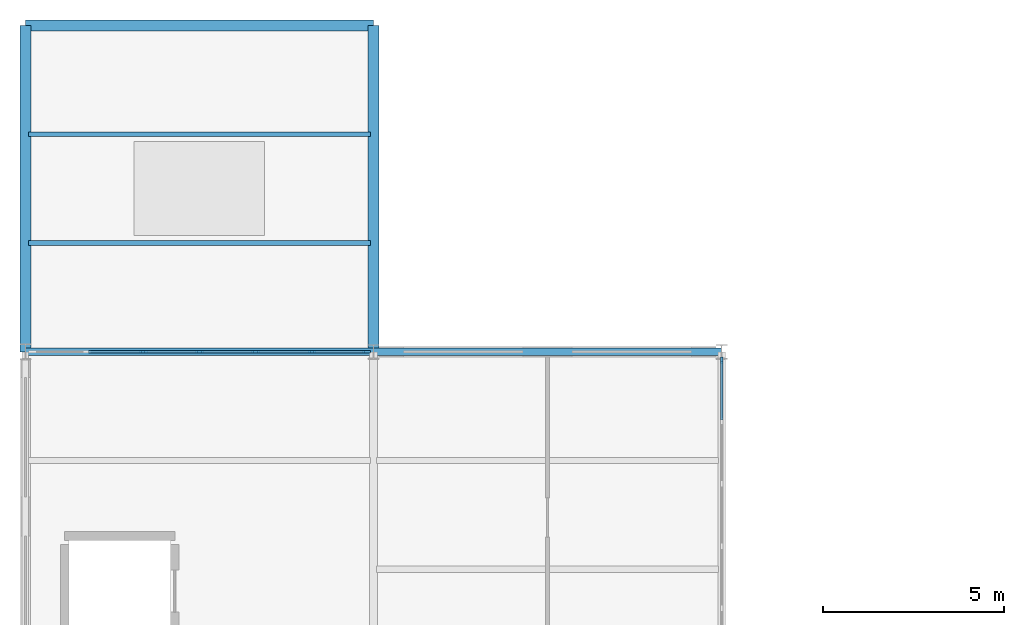
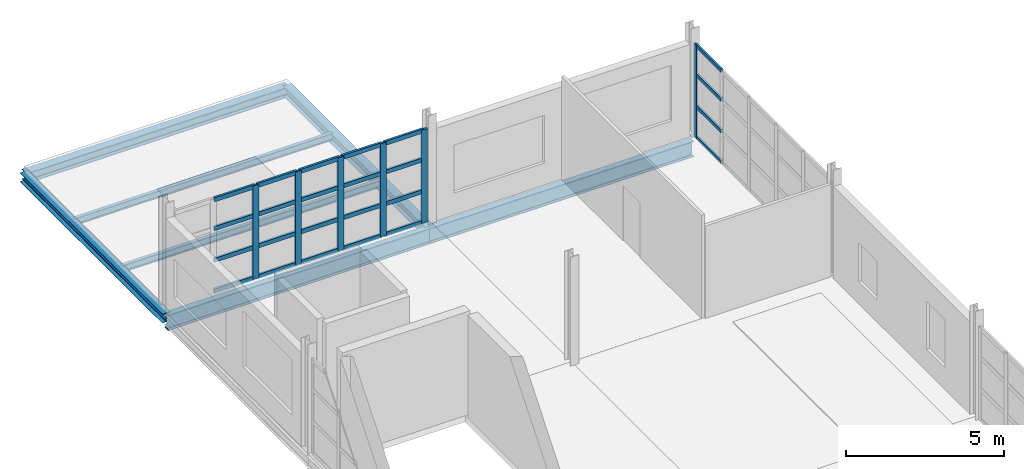
# One storey, part 9 of 15: 30 members, 7 beams, 2 elements without a shape of their own.
"""IFC4 building model written with IfcOpenShell, lengths in metres."""

from ifc_helpers import new_model, si_unit, direction, frame, origin, origin_2d, place, context, subcontext, project, spatial, rectangle, i_section, extrude, material, layer, layer_set, material_profile, profile_set, type_object, element, aggregate, save


model = new_model("IFC4")

# Units and contexts
model_context = context("Model", 3, precision=1e-05, world=origin(), true_north=direction((0.0, 1.0)))
body_context = subcontext(model_context, "Body", "Model", "MODEL_VIEW")
ifc_project = project(units=[si_unit("LENGTHUNIT", "METRE"), si_unit("AREAUNIT", "SQUARE_METRE"), si_unit("VOLUMEUNIT", "CUBIC_METRE"), si_unit("PLANEANGLEUNIT", "RADIAN"), si_unit("MASSUNIT", "GRAM", prefix="KILO")], contexts=[model_context])

# Site, building, storey
site_placement = place(None, origin())
site = spatial("IfcSite", under=ifc_project, at=site_placement, CompositionType="ELEMENT")
building_placement = place(site_placement, origin())
building = spatial("IfcBuilding", under=site, at=building_placement, Name="Zarnetskaya Central Station", CompositionType="ELEMENT")
storey_placement = place(building_placement, frame((0.0, 0.0, 22.800048828125)))
storey = spatial("IfcBuildingStorey", under=building, at=storey_placement, Name="L05", CompositionType="ELEMENT", Elevation=22.800048828125)

# Beams
ifc_material_1 = material(Name="Steel S355", Category="steel")
ifc_material_profile_1 = material_profile(ifc_material_1, i_section(OverallWidth=0.135009765625, OverallDepth=0.27001953125, WebThickness=0.006591796875, FlangeThickness=0.01025390625, FilletRadius=0.014892578125, at=origin_2d()), Name="IPE 270")
ifc_profile_set_1 = profile_set([ifc_material_profile_1], Name="Steel S355")
beam_type_1 = type_object("IfcBeamType", Name="BM-JST-270", PredefinedType="JOIST", material=ifc_profile_set_1)
for number, where, z_axis, x_axis, name in (
    (1, (0.080078125, 52.199951171875, -0.344970703125), (1.0, 0.0, 0.0), (0.0, 1.0, 0.0), "Secondary floor beam SEC-L05-Z2259-AB-78-1"),
    (2, (0.080078125, 55.199951171875, -0.344970703125), (1.0, 0.0, 0.0), (0.0, 1.0, 0.0), "Secondary floor beam SEC-L05-Z2259-AB-78-2"),
):
    element("IfcBeam", number, at=place(storey_placement, frame(where, z_axis=z_axis, x_axis=x_axis)), inside=storey, type_object=beam_type_1, Name=name, PredefinedType="JOIST", context=body_context, shape_type="SweptSolid", body=[
        extrude(i_section(OverallWidth=0.135009765625, OverallDepth=0.27001953125, WebThickness=0.006591796875, FlangeThickness=0.01025390625, FilletRadius=0.014892578125, at=origin_2d()), origin(), (0.0, 0.0, 1.0), 9.43994140625),
    ])
ifc_material_profile_2 = material_profile(ifc_material_1, i_section(OverallWidth=0.300048828125, OverallDepth=0.35009765625, WebThickness=0.010009765625, FlangeThickness=0.017578125, FilletRadius=0.027099609375, at=origin_2d()), Name="HEA 360")
ifc_profile_set_2 = profile_set([ifc_material_profile_2], Name="Steel S355")
beam_type_2 = type_object("IfcBeamType", Name="BM-SPN-EAVE", PredefinedType="SPANDREL", material=ifc_profile_set_2)
beam_1_placement = place(storey_placement, frame((0.0, 49.199951171875, -0.385009765625), z_axis=(0.0, 1.0, 0.0), x_axis=(-1.0, 0.0, 0.0)))
element("IfcBeam", 3, at=beam_1_placement, inside=storey, type_object=beam_type_2, Name="Grid girder GY-L05-A-78", PredefinedType="SPANDREL", context=body_context, shape_type="SweptSolid", body=[
    extrude(i_section(OverallWidth=0.300048828125, OverallDepth=0.35009765625, WebThickness=0.010009765625, FlangeThickness=0.017578125, FilletRadius=0.027099609375, at=origin_2d()), origin(), (0.0, 0.0, 1.0), 9.0),
])

# Curtain wall, member
ifc_material_2 = material(Name="Low-E insulated glass", Category="glass")
ifc_layer = layer(ifc_material_2, 0.1640625, Name="Low-E insulated glass", Category="glass")
ifc_layer_set = layer_set([ifc_layer], Name="Low-E insulated glass")
curtain_wall_type = type_object("IfcCurtainWallType", Name="CW-SYS-07", PredefinedType="USERDEFINED", material=ifc_layer_set)
curtain_wall_1_placement = place(storey_placement, origin())
curtain_wall_1 = element("IfcCurtainWall", 4, at=curtain_wall_1_placement, inside=storey, type_object=curtain_wall_type, Name="Curtain wall CW-L05-067", ObjectType="CURTAIN WALL", PredefinedType="USERDEFINED")
ifc_material_3 = material(Name="Anodised aluminium", Category="aluminium")
ifc_material_profile_3 = material_profile(ifc_material_3, rectangle(XDim=0.070068359375, YDim=0.179931640625, at=origin_2d()), Name="ALU MULL 70x180")
ifc_profile_set_3 = profile_set([ifc_material_profile_3], Name="Anodised aluminium")
member_type_1 = type_object("IfcMemberType", Name="CW-MULL-180", PredefinedType="MULLION", material=ifc_profile_set_3)
member_1_placement = place(storey_placement, frame((19.199951171875, 48.965087890625, 0.0), z_axis=(0.0, 0.0, 1.0), x_axis=(1.0, 0.0, 0.0)))
member_1 = element("IfcMember", 5, at=member_1_placement, type_object=member_type_1, Name="CW-06 mullion 1", PredefinedType="MULLION", context=body_context, shape_type="SweptSolid", body=[
    extrude(rectangle(XDim=0.070068359375, YDim=0.179931640625, at=origin_2d()), origin(), (0.0, 0.0, 1.0), 3.599853515625),
])

# Curtain wall, members
curtain_wall_2_placement = place(storey_placement, origin())
curtain_wall_2 = element("IfcCurtainWall", 6, at=curtain_wall_2_placement, inside=storey, type_object=curtain_wall_type, Name="Curtain wall CW-L05-066", ObjectType="CURTAIN WALL", PredefinedType="USERDEFINED")
ifc_material_profile_4 = material_profile(ifc_material_3, rectangle(XDim=0.080078125, YDim=0.219970703125, at=origin_2d()), Name="ALU MULL 80x220")
ifc_profile_set_4 = profile_set([ifc_material_profile_4], Name="Anodised aluminium")
member_type_2 = type_object("IfcMemberType", Name="CW-MULL-220", PredefinedType="MULLION", material=ifc_profile_set_4)
member_2_placement = place(storey_placement, frame((3.25, 49.199951171875, 0.0), z_axis=(0.0, 0.0, 1.0), x_axis=(0.0, 1.0, 0.0)))
member_2 = element("IfcMember", 7, at=member_2_placement, type_object=member_type_2, Name="CW-06 mullion 3", PredefinedType="MULLION", context=body_context, shape_type="SweptSolid", body=[
    extrude(rectangle(XDim=0.080078125, YDim=0.219970703125, at=origin_2d()), origin(), (0.0, 0.0, 1.0), 3.599853515625),
])
member_3_placement = place(storey_placement, frame((4.800048828125, 49.199951171875, 0.0), z_axis=(0.0, 0.0, 1.0), x_axis=(0.0, 1.0, 0.0)))
member_3 = element("IfcMember", 8, at=member_3_placement, type_object=member_type_2, Name="CW-06 mullion 4", PredefinedType="MULLION", context=body_context, shape_type="SweptSolid", body=[
    extrude(rectangle(XDim=0.080078125, YDim=0.219970703125, at=origin_2d()), origin(), (0.0, 0.0, 1.0), 3.599853515625),
])
member_4_placement = place(storey_placement, frame((6.35009765625, 49.199951171875, 0.0), z_axis=(0.0, 0.0, 1.0), x_axis=(0.0, 1.0, 0.0)))
member_4 = element("IfcMember", 9, at=member_4_placement, type_object=member_type_2, Name="CW-06 mullion 5", PredefinedType="MULLION", context=body_context, shape_type="SweptSolid", body=[
    extrude(rectangle(XDim=0.080078125, YDim=0.219970703125, at=origin_2d()), origin(), (0.0, 0.0, 1.0), 3.599853515625),
])
member_5_placement = place(storey_placement, frame((7.89990234375, 49.199951171875, 0.0), z_axis=(0.0, 0.0, 1.0), x_axis=(0.0, 1.0, 0.0)))
member_5 = element("IfcMember", 10, at=member_5_placement, type_object=member_type_2, Name="CW-06 mullion 6", PredefinedType="MULLION", context=body_context, shape_type="SweptSolid", body=[
    extrude(rectangle(XDim=0.080078125, YDim=0.219970703125, at=origin_2d()), origin(), (0.0, 0.0, 1.0), 3.599853515625),
])
member_6_placement = place(storey_placement, frame((9.409912109375, 49.199951171875, 0.0), z_axis=(0.0, 0.0, 1.0), x_axis=(0.0, 1.0, 0.0)))
member_6 = element("IfcMember", 11, at=member_6_placement, type_object=member_type_2, Name="CW-06 mullion 7", PredefinedType="MULLION", context=body_context, shape_type="SweptSolid", body=[
    extrude(rectangle(XDim=0.080078125, YDim=0.219970703125, at=origin_2d()), origin(), (0.0, 0.0, 1.0), 3.599853515625),
])

# Member
ifc_material_profile_5 = material_profile(ifc_material_3, rectangle(XDim=0.070068359375, YDim=0.139892578125, at=origin_2d()), Name="ALU TRAN 70x140")
ifc_profile_set_5 = profile_set([ifc_material_profile_5], Name="Anodised aluminium")
member_type_3 = type_object("IfcMemberType", Name="CW-TRAN-140", PredefinedType="USERDEFINED", material=ifc_profile_set_5)
member_7_placement = place(storey_placement, frame((19.199951171875, 48.929931640625, 0.034912109375), z_axis=(0.0, -1.0, 0.0), x_axis=(1.0, 0.0, 0.0)))
member_7 = element("IfcMember", 12, at=member_7_placement, type_object=member_type_3, Name="CW-06 transom 1.1", ObjectType="TRANSOM", PredefinedType="USERDEFINED", context=body_context, shape_type="SweptSolid", body=[
    extrude(rectangle(XDim=0.070068359375, YDim=0.139892578125, at=origin_2d()), origin(), (0.0, 0.0, 1.0), 1.614990234375),
])

member_8_placement = place(storey_placement, frame((19.199951171875, 48.929931640625, 1.223876953125), z_axis=(0.0, -1.0, 0.0), x_axis=(1.0, 0.0, 0.0)))
member_8 = element("IfcMember", 13, at=member_8_placement, type_object=member_type_3, Name="CW-06 transom 1.2", ObjectType="TRANSOM", PredefinedType="USERDEFINED", context=body_context, shape_type="SweptSolid", body=[
    extrude(rectangle(XDim=0.070068359375, YDim=0.139892578125, at=origin_2d()), origin(), (0.0, 0.0, 1.0), 1.614990234375),
])

member_9_placement = place(storey_placement, frame((19.199951171875, 48.929931640625, 2.447998046875), z_axis=(0.0, -1.0, 0.0), x_axis=(1.0, 0.0, 0.0)))
member_9 = element("IfcMember", 14, at=member_9_placement, type_object=member_type_3, Name="CW-06 transom 1.3", ObjectType="TRANSOM", PredefinedType="USERDEFINED", context=body_context, shape_type="SweptSolid", body=[
    extrude(rectangle(XDim=0.070068359375, YDim=0.139892578125, at=origin_2d()), origin(), (0.0, 0.0, 1.0), 1.614990234375),
])

member_10_placement = place(storey_placement, frame((19.199951171875, 48.929931640625, 3.56494140625), z_axis=(0.0, -1.0, 0.0), x_axis=(1.0, 0.0, 0.0)))
member_10 = element("IfcMember", 15, at=member_10_placement, type_object=member_type_3, Name="CW-06 transom 1.4", ObjectType="TRANSOM", PredefinedType="USERDEFINED", context=body_context, shape_type="SweptSolid", body=[
    extrude(rectangle(XDim=0.070068359375, YDim=0.139892578125, at=origin_2d()), origin(), (0.0, 0.0, 1.0), 1.614990234375),
])

aggregate(curtain_wall_1, [member_1, member_7, member_8, member_9, member_10])

ifc_material_profile_6 = material_profile(ifc_material_3, rectangle(XDim=0.080078125, YDim=0.159912109375, at=origin_2d()), Name="ALU TRAN 80x160")
ifc_profile_set_6 = profile_set([ifc_material_profile_6], Name="Anodised aluminium")
member_type_4 = type_object("IfcMemberType", Name="CW-TRAN-160", PredefinedType="USERDEFINED", material=ifc_profile_set_6)
member_11_placement = place(storey_placement, frame((1.739990234375, 49.199951171875, 0.0400390625), z_axis=(1.0, 0.0, 0.0), x_axis=(0.0, 1.0, 0.0)))
member_11 = element("IfcMember", 16, at=member_11_placement, type_object=member_type_4, Name="CW-06 transom 2.1", ObjectType="TRANSOM", PredefinedType="USERDEFINED", context=body_context, shape_type="SweptSolid", body=[
    extrude(rectangle(XDim=0.080078125, YDim=0.159912109375, at=origin_2d()), origin(), (0.0, 0.0, 1.0), 1.469970703125),
])

member_12_placement = place(storey_placement, frame((1.739990234375, 49.199951171875, 1.223876953125), z_axis=(1.0, 0.0, 0.0), x_axis=(0.0, 1.0, 0.0)))
member_12 = element("IfcMember", 17, at=member_12_placement, type_object=member_type_4, Name="CW-06 transom 2.2", ObjectType="TRANSOM", PredefinedType="USERDEFINED", context=body_context, shape_type="SweptSolid", body=[
    extrude(rectangle(XDim=0.080078125, YDim=0.159912109375, at=origin_2d()), origin(), (0.0, 0.0, 1.0), 1.469970703125),
])

member_13_placement = place(storey_placement, frame((1.739990234375, 49.199951171875, 2.447998046875), z_axis=(1.0, 0.0, 0.0), x_axis=(0.0, 1.0, 0.0)))
member_13 = element("IfcMember", 18, at=member_13_placement, type_object=member_type_4, Name="CW-06 transom 2.3", ObjectType="TRANSOM", PredefinedType="USERDEFINED", context=body_context, shape_type="SweptSolid", body=[
    extrude(rectangle(XDim=0.080078125, YDim=0.159912109375, at=origin_2d()), origin(), (0.0, 0.0, 1.0), 1.469970703125),
])

member_14_placement = place(storey_placement, frame((1.739990234375, 49.199951171875, 3.56005859375), z_axis=(1.0, 0.0, 0.0), x_axis=(0.0, 1.0, 0.0)))
member_14 = element("IfcMember", 19, at=member_14_placement, type_object=member_type_4, Name="CW-06 transom 2.4", ObjectType="TRANSOM", PredefinedType="USERDEFINED", context=body_context, shape_type="SweptSolid", body=[
    extrude(rectangle(XDim=0.080078125, YDim=0.159912109375, at=origin_2d()), origin(), (0.0, 0.0, 1.0), 1.469970703125),
])

member_15_placement = place(storey_placement, frame((3.2900390625, 49.199951171875, 0.0400390625), z_axis=(1.0, 0.0, 0.0), x_axis=(0.0, 1.0, 0.0)))
member_15 = element("IfcMember", 20, at=member_15_placement, type_object=member_type_4, Name="CW-06 transom 3.1", ObjectType="TRANSOM", PredefinedType="USERDEFINED", context=body_context, shape_type="SweptSolid", body=[
    extrude(rectangle(XDim=0.080078125, YDim=0.159912109375, at=origin_2d()), origin(), (0.0, 0.0, 1.0), 1.469970703125),
])

member_16_placement = place(storey_placement, frame((3.2900390625, 49.199951171875, 1.223876953125), z_axis=(1.0, 0.0, 0.0), x_axis=(0.0, 1.0, 0.0)))
member_16 = element("IfcMember", 21, at=member_16_placement, type_object=member_type_4, Name="CW-06 transom 3.2", ObjectType="TRANSOM", PredefinedType="USERDEFINED", context=body_context, shape_type="SweptSolid", body=[
    extrude(rectangle(XDim=0.080078125, YDim=0.159912109375, at=origin_2d()), origin(), (0.0, 0.0, 1.0), 1.469970703125),
])

member_17_placement = place(storey_placement, frame((3.2900390625, 49.199951171875, 2.447998046875), z_axis=(1.0, 0.0, 0.0), x_axis=(0.0, 1.0, 0.0)))
member_17 = element("IfcMember", 22, at=member_17_placement, type_object=member_type_4, Name="CW-06 transom 3.3", ObjectType="TRANSOM", PredefinedType="USERDEFINED", context=body_context, shape_type="SweptSolid", body=[
    extrude(rectangle(XDim=0.080078125, YDim=0.159912109375, at=origin_2d()), origin(), (0.0, 0.0, 1.0), 1.469970703125),
])

member_18_placement = place(storey_placement, frame((3.2900390625, 49.199951171875, 3.56005859375), z_axis=(1.0, 0.0, 0.0), x_axis=(0.0, 1.0, 0.0)))
member_18 = element("IfcMember", 23, at=member_18_placement, type_object=member_type_4, Name="CW-06 transom 3.4", ObjectType="TRANSOM", PredefinedType="USERDEFINED", context=body_context, shape_type="SweptSolid", body=[
    extrude(rectangle(XDim=0.080078125, YDim=0.159912109375, at=origin_2d()), origin(), (0.0, 0.0, 1.0), 1.469970703125),
])

member_19_placement = place(storey_placement, frame((4.840087890625, 49.199951171875, 0.0400390625), z_axis=(1.0, 0.0, 0.0), x_axis=(0.0, 1.0, 0.0)))
member_19 = element("IfcMember", 24, at=member_19_placement, type_object=member_type_4, Name="CW-06 transom 4.1", ObjectType="TRANSOM", PredefinedType="USERDEFINED", context=body_context, shape_type="SweptSolid", body=[
    extrude(rectangle(XDim=0.080078125, YDim=0.159912109375, at=origin_2d()), origin(), (0.0, 0.0, 1.0), 1.469970703125),
])

member_20_placement = place(storey_placement, frame((4.840087890625, 49.199951171875, 1.223876953125), z_axis=(1.0, 0.0, 0.0), x_axis=(0.0, 1.0, 0.0)))
member_20 = element("IfcMember", 25, at=member_20_placement, type_object=member_type_4, Name="CW-06 transom 4.2", ObjectType="TRANSOM", PredefinedType="USERDEFINED", context=body_context, shape_type="SweptSolid", body=[
    extrude(rectangle(XDim=0.080078125, YDim=0.159912109375, at=origin_2d()), origin(), (0.0, 0.0, 1.0), 1.469970703125),
])

member_21_placement = place(storey_placement, frame((4.840087890625, 49.199951171875, 2.447998046875), z_axis=(1.0, 0.0, 0.0), x_axis=(0.0, 1.0, 0.0)))
member_21 = element("IfcMember", 26, at=member_21_placement, type_object=member_type_4, Name="CW-06 transom 4.3", ObjectType="TRANSOM", PredefinedType="USERDEFINED", context=body_context, shape_type="SweptSolid", body=[
    extrude(rectangle(XDim=0.080078125, YDim=0.159912109375, at=origin_2d()), origin(), (0.0, 0.0, 1.0), 1.469970703125),
])

member_22_placement = place(storey_placement, frame((4.840087890625, 49.199951171875, 3.56005859375), z_axis=(1.0, 0.0, 0.0), x_axis=(0.0, 1.0, 0.0)))
member_22 = element("IfcMember", 27, at=member_22_placement, type_object=member_type_4, Name="CW-06 transom 4.4", ObjectType="TRANSOM", PredefinedType="USERDEFINED", context=body_context, shape_type="SweptSolid", body=[
    extrude(rectangle(XDim=0.080078125, YDim=0.159912109375, at=origin_2d()), origin(), (0.0, 0.0, 1.0), 1.469970703125),
])

member_23_placement = place(storey_placement, frame((6.389892578125, 49.199951171875, 0.0400390625), z_axis=(1.0, 0.0, 0.0), x_axis=(0.0, 1.0, 0.0)))
member_23 = element("IfcMember", 28, at=member_23_placement, type_object=member_type_4, Name="CW-06 transom 5.1", ObjectType="TRANSOM", PredefinedType="USERDEFINED", context=body_context, shape_type="SweptSolid", body=[
    extrude(rectangle(XDim=0.080078125, YDim=0.159912109375, at=origin_2d()), origin(), (0.0, 0.0, 1.0), 1.47021484375),
])

member_24_placement = place(storey_placement, frame((6.389892578125, 49.199951171875, 1.223876953125), z_axis=(1.0, 0.0, 0.0), x_axis=(0.0, 1.0, 0.0)))
member_24 = element("IfcMember", 29, at=member_24_placement, type_object=member_type_4, Name="CW-06 transom 5.2", ObjectType="TRANSOM", PredefinedType="USERDEFINED", context=body_context, shape_type="SweptSolid", body=[
    extrude(rectangle(XDim=0.080078125, YDim=0.159912109375, at=origin_2d()), origin(), (0.0, 0.0, 1.0), 1.47021484375),
])

member_25_placement = place(storey_placement, frame((6.389892578125, 49.199951171875, 2.447998046875), z_axis=(1.0, 0.0, 0.0), x_axis=(0.0, 1.0, 0.0)))
member_25 = element("IfcMember", 30, at=member_25_placement, type_object=member_type_4, Name="CW-06 transom 5.3", ObjectType="TRANSOM", PredefinedType="USERDEFINED", context=body_context, shape_type="SweptSolid", body=[
    extrude(rectangle(XDim=0.080078125, YDim=0.159912109375, at=origin_2d()), origin(), (0.0, 0.0, 1.0), 1.47021484375),
])

member_26_placement = place(storey_placement, frame((6.389892578125, 49.199951171875, 3.56005859375), z_axis=(1.0, 0.0, 0.0), x_axis=(0.0, 1.0, 0.0)))
member_26 = element("IfcMember", 31, at=member_26_placement, type_object=member_type_4, Name="CW-06 transom 5.4", ObjectType="TRANSOM", PredefinedType="USERDEFINED", context=body_context, shape_type="SweptSolid", body=[
    extrude(rectangle(XDim=0.080078125, YDim=0.159912109375, at=origin_2d()), origin(), (0.0, 0.0, 1.0), 1.47021484375),
])

member_27_placement = place(storey_placement, frame((7.93994140625, 49.199951171875, 0.0400390625), z_axis=(1.0, 0.0, 0.0), x_axis=(0.0, 1.0, 0.0)))
member_27 = element("IfcMember", 32, at=member_27_placement, type_object=member_type_4, Name="CW-06 transom 6.1", ObjectType="TRANSOM", PredefinedType="USERDEFINED", context=body_context, shape_type="SweptSolid", body=[
    extrude(rectangle(XDim=0.080078125, YDim=0.159912109375, at=origin_2d()), origin(), (0.0, 0.0, 1.0), 1.43017578125),
])

member_28_placement = place(storey_placement, frame((7.93994140625, 49.199951171875, 1.223876953125), z_axis=(1.0, 0.0, 0.0), x_axis=(0.0, 1.0, 0.0)))
member_28 = element("IfcMember", 33, at=member_28_placement, type_object=member_type_4, Name="CW-06 transom 6.2", ObjectType="TRANSOM", PredefinedType="USERDEFINED", context=body_context, shape_type="SweptSolid", body=[
    extrude(rectangle(XDim=0.080078125, YDim=0.159912109375, at=origin_2d()), origin(), (0.0, 0.0, 1.0), 1.43017578125),
])

member_29_placement = place(storey_placement, frame((7.93994140625, 49.199951171875, 2.447998046875), z_axis=(1.0, 0.0, 0.0), x_axis=(0.0, 1.0, 0.0)))
member_29 = element("IfcMember", 34, at=member_29_placement, type_object=member_type_4, Name="CW-06 transom 6.3", ObjectType="TRANSOM", PredefinedType="USERDEFINED", context=body_context, shape_type="SweptSolid", body=[
    extrude(rectangle(XDim=0.080078125, YDim=0.159912109375, at=origin_2d()), origin(), (0.0, 0.0, 1.0), 1.43017578125),
])

member_30_placement = place(storey_placement, frame((7.93994140625, 49.199951171875, 3.56005859375), z_axis=(1.0, 0.0, 0.0), x_axis=(0.0, 1.0, 0.0)))
member_30 = element("IfcMember", 35, at=member_30_placement, type_object=member_type_4, Name="CW-06 transom 6.4", ObjectType="TRANSOM", PredefinedType="USERDEFINED", context=body_context, shape_type="SweptSolid", body=[
    extrude(rectangle(XDim=0.080078125, YDim=0.159912109375, at=origin_2d()), origin(), (0.0, 0.0, 1.0), 1.43017578125),
])

aggregate(curtain_wall_2, [member_2, member_3, member_4, member_5, member_6, member_11, member_12, member_13, member_14, member_15, member_16, member_17, member_18, member_19, member_20, member_21, member_22, member_23, member_24, member_25, member_26, member_27, member_28, member_29, member_30])

# Beams
ifc_material_profile_7 = material_profile(ifc_material_1, i_section(OverallWidth=0.219970703125, OverallDepth=0.60009765625, WebThickness=0.011962890625, FlangeThickness=0.01904296875, FilletRadius=0.02392578125, at=origin_2d()), Name="IPE 600")
ifc_profile_set_7 = profile_set([ifc_material_profile_7], Name="Steel S355")
beam_type_3 = type_object("IfcBeamType", Name="GD-FLR-600", PredefinedType="USERDEFINED", material=ifc_profile_set_7)
beam_2_placement = place(storey_placement, frame((0.0, 49.199951171875, -0.5400390625), z_axis=(1.0, 0.0, 0.0), x_axis=(0.0, 1.0, 0.0)))
element("IfcBeam", 36, at=beam_2_placement, inside=storey, type_object=beam_type_3, Name="Grid girder GX-L05-7-AB", ObjectType="GIRDER", PredefinedType="USERDEFINED", context=body_context, shape_type="SweptSolid", body=[
    extrude(i_section(OverallWidth=0.219970703125, OverallDepth=0.60009765625, WebThickness=0.011962890625, FlangeThickness=0.01904296875, FilletRadius=0.02392578125, at=origin_2d()), origin(), (0.0, 0.0, 1.0), 9.60009765625),
])
beam_3_placement = place(storey_placement, frame((9.60009765625, 49.199951171875, -0.5400390625), z_axis=(1.0, 0.0, 0.0), x_axis=(0.0, 1.0, 0.0)))
element("IfcBeam", 37, at=beam_3_placement, inside=storey, type_object=beam_type_3, Name="Grid girder GX-L05-7-BC", ObjectType="GIRDER", PredefinedType="USERDEFINED", context=body_context, shape_type="SweptSolid", body=[
    extrude(i_section(OverallWidth=0.219970703125, OverallDepth=0.60009765625, WebThickness=0.011962890625, FlangeThickness=0.01904296875, FilletRadius=0.02392578125, at=origin_2d()), origin(), (0.0, 0.0, 1.0), 9.599853515625),
])
ifc_material_profile_8 = material_profile(ifc_material_1, i_section(OverallWidth=0.300048828125, OverallDepth=0.389892578125, WebThickness=0.010986328125, FlangeThickness=0.01904296875, FilletRadius=0.027099609375, at=origin_2d()), Name="HEA 400")
ifc_profile_set_8 = profile_set([ifc_material_profile_8], Name="Steel S355")
beam_type_4 = type_object("IfcBeamType", Name="GD-ROOF-400", PredefinedType="USERDEFINED", material=ifc_profile_set_8)
beam_4_placement = place(storey_placement, frame((0.0, 58.199951171875, -0.405029296875), z_axis=(1.0, 0.0, 0.0), x_axis=(0.0, 1.0, 0.0)))
element("IfcBeam", 38, at=beam_4_placement, inside=storey, type_object=beam_type_4, Name="Grid girder GX-L05-8-AB", ObjectType="GIRDER", PredefinedType="USERDEFINED", context=body_context, shape_type="SweptSolid", body=[
    extrude(i_section(OverallWidth=0.300048828125, OverallDepth=0.389892578125, WebThickness=0.010986328125, FlangeThickness=0.01904296875, FilletRadius=0.027099609375, at=origin_2d()), origin(), (0.0, 0.0, 1.0), 9.60009765625),
])
beam_5_placement = place(storey_placement, frame((9.60009765625, 49.199951171875, -0.405029296875), z_axis=(0.0, 1.0, 0.0), x_axis=(-1.0, 0.0, 0.0)))
element("IfcBeam", 39, at=beam_5_placement, inside=storey, type_object=beam_type_4, Name="Grid girder GY-L05-B-78", ObjectType="GIRDER", PredefinedType="USERDEFINED", context=body_context, shape_type="SweptSolid", body=[
    extrude(i_section(OverallWidth=0.300048828125, OverallDepth=0.389892578125, WebThickness=0.010986328125, FlangeThickness=0.01904296875, FilletRadius=0.027099609375, at=origin_2d()), origin(), (0.0, 0.0, 1.0), 9.0),
])

save(model, "model.ifc")
